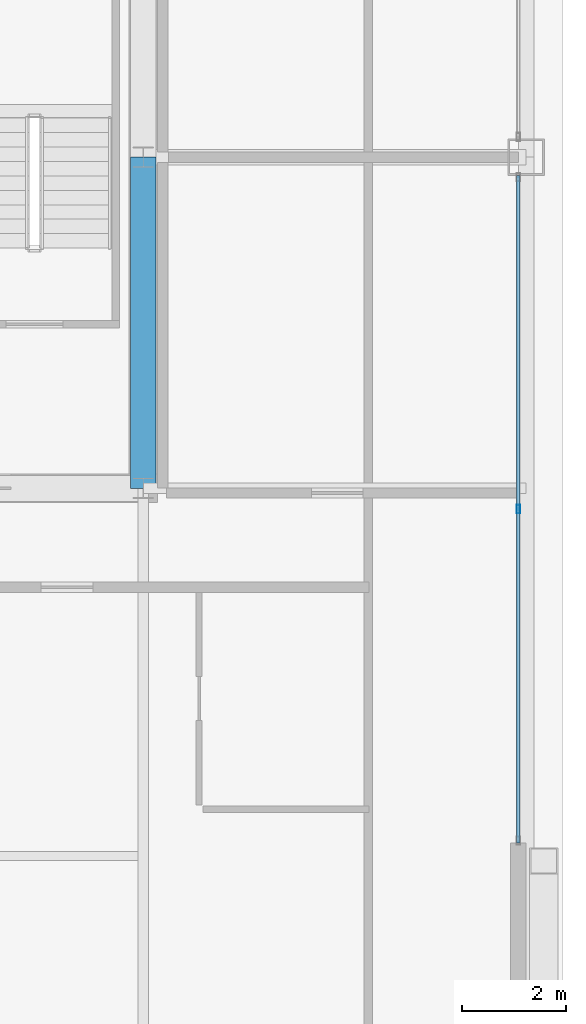
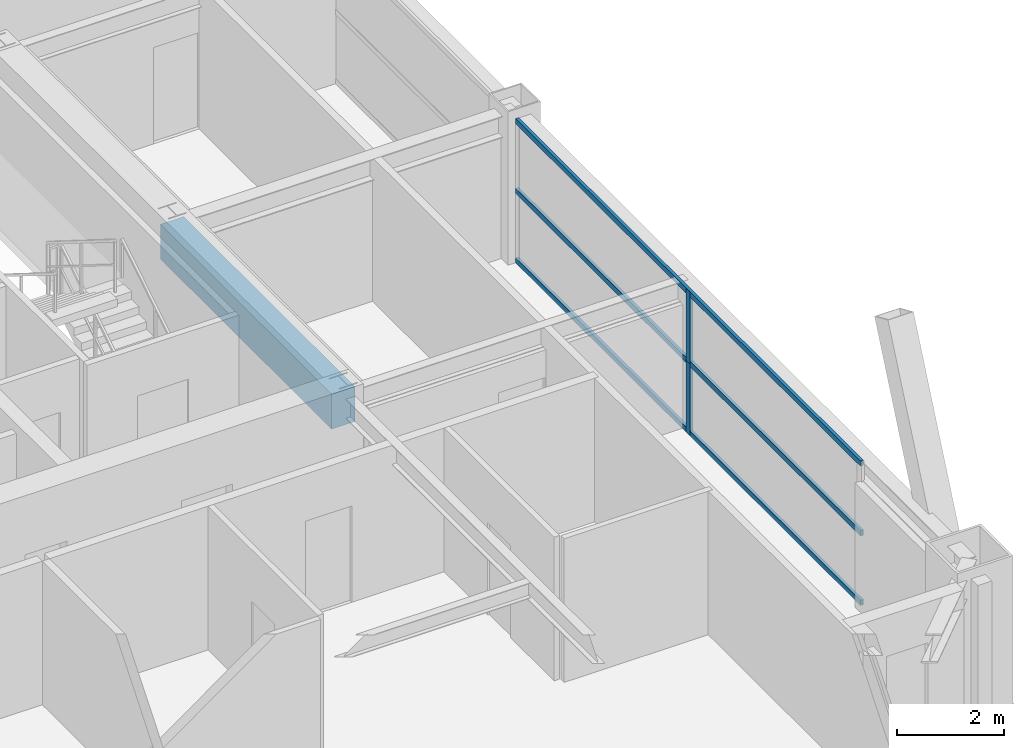
# One storey, part 17 of 34: 5 members, 1 beam, 1 element without a shape of its own.
"""IFC4 building model written with IfcOpenShell, lengths in metres."""

from ifc_helpers import new_model, si_unit, direction, frame, origin, origin_2d, place, context, subcontext, project, spatial, rectangle, hollow_rectangle, extrude, source, transform, mapped, material, layer, layer_set, material_profile, profile_set, type_object, element, aggregate, save


model = new_model("IFC4")

# Units and contexts
model_context = context("Model", 3, precision=1e-05, world=origin(), true_north=direction((0.0, 1.0)))
body_context = subcontext(model_context, "Body", "Model", "MODEL_VIEW")
ifc_project = project(units=[si_unit("LENGTHUNIT", "METRE"), si_unit("AREAUNIT", "SQUARE_METRE"), si_unit("VOLUMEUNIT", "CUBIC_METRE"), si_unit("PLANEANGLEUNIT", "RADIAN"), si_unit("MASSUNIT", "GRAM", prefix="KILO"), si_unit("THERMODYNAMICTEMPERATUREUNIT", "KELVIN"), si_unit("POWERUNIT", "WATT")], contexts=[model_context])

# Site, building, storey
site_placement = place(None, origin())
site = spatial("IfcSite", under=ifc_project, at=site_placement, CompositionType="ELEMENT")
building_placement = place(site_placement, origin())
building = spatial("IfcBuilding", under=site, at=building_placement, Name="Yuzanri Waterfront Tower", CompositionType="ELEMENT")
storey_placement = place(building_placement, frame((0.0, 0.0, 241.60009765625)))
storey = spatial("IfcBuildingStorey", under=building, at=storey_placement, Name="L64", CompositionType="ELEMENT", Elevation=241.60009765625)

# Beam
ifc_material_1 = material(Name="Concrete C50", Category="concrete")
ifc_material_profile_1 = material_profile(ifc_material_1, rectangle(XDim=0.5, YDim=0.800048828125, at=origin_2d()), Name="RC 500x800")
ifc_profile_set_1 = profile_set([ifc_material_profile_1], Name="Concrete C50")
beam_type = type_object("IfcBeamType", Name="Core Coupling Lintel Concrete C50 500x800", PredefinedType="LINTEL", material=ifc_profile_set_1)
shared_shape_1 = source(origin(), body_context, "Body", "SweptSolid", [
    extrude(rectangle(XDim=0.5, YDim=0.800048828125, at=origin_2d()), origin(), (0.0, 0.0, 1.0), 6.400146484375),
])
beam_placement = place(storey_placement, frame((50.199951171875, 19.39990234375, 2.8798828125), z_axis=(0.0, 1.0, 0.0), x_axis=(-1.0, 0.0, 0.0)))
element("IfcBeam", 1, at=beam_placement, inside=storey, type_object=beam_type, Name="L64 Core Tie Beam CE1", PredefinedType="LINTEL", context=body_context, shape_type="MappedRepresentation", body=[
    mapped(shared_shape_1, transform((0.0, 0.0, 0.0), scale=1.0)),
])

# Curtain wall, members
ifc_material_2 = material(Name="Anodized Architectural Bronze", Category="metal")
ifc_layer = layer(ifc_material_2, 0.159912109375)
ifc_layer_set = layer_set([ifc_layer], Name="Anodized Architectural Bronze")
curtain_wall_type = type_object("IfcCurtainWallType", Name="Anodized Bronze Mid-Rise Residential Acoustic Unitized Curtain Wall 7200", PredefinedType="NOTDEFINED", material=ifc_layer_set)
curtain_wall_placement = place(storey_placement, origin())
curtain_wall = element("IfcCurtainWall", 2, at=curtain_wall_placement, inside=storey, type_object=curtain_wall_type, Name="L64 Curtain Wall CW-L64-EL", PredefinedType="NOTDEFINED")
ifc_material_3 = material(Name="Anodized Architectural Bronze", Category="metal")
ifc_material_profile_2 = material_profile(ifc_material_3, hollow_rectangle(XDim=0.06494140625, YDim=0.159912109375, WallThickness=0.00341796875, at=origin_2d()), Name="CWM 65x160")
ifc_profile_set_2 = profile_set([ifc_material_profile_2], Name="Anodized Architectural Bronze")
member_type_1 = type_object("IfcMemberType", Name="Anodized Bronze Upper-Zone Curtain-Wall Mullion 65x160", PredefinedType="MULLION", material=ifc_profile_set_2)
shared_shape_2 = source(origin(), body_context, "Body", "SweptSolid", [
    extrude(hollow_rectangle(XDim=0.06494140625, YDim=0.159912109375, WallThickness=0.00341796875, at=origin_2d()), origin(), (0.0, 0.0, 1.0), 1.637939453125),
])
member_1_placement = place(storey_placement, frame((57.449951171875, 19.0, 0.0), z_axis=(0.0, 0.0, 1.0), x_axis=(1.0, 0.0, 0.0)))
member_1 = element("IfcMember", 3, at=member_1_placement, type_object=member_type_1, Name="CW-L64-EL Lower Mullion 01", PredefinedType="MULLION", context=body_context, shape_type="MappedRepresentation", body=[
    mapped(shared_shape_2, transform((0.0, 0.0, 0.0), scale=1.0)),
])
member_2_placement = place(storey_placement, frame((57.449951171875, 19.0, 1.641845703125), z_axis=(0.0, 0.0, 1.0), x_axis=(1.0, 0.0, 0.0)))
member_2 = element("IfcMember", 4, at=member_2_placement, type_object=member_type_1, Name="CW-L64-EL Upper Mullion 01", PredefinedType="MULLION", context=body_context, shape_type="MappedRepresentation", body=[
    mapped(shared_shape_2, transform((0.0, 0.0, 0.0), scale=1.0)),
])
ifc_material_4 = material(Name="Anodized Architectural Bronze", Category="metal")
ifc_material_profile_3 = material_profile(ifc_material_4, hollow_rectangle(XDim=0.06494140625, YDim=0.1201171875, WallThickness=0.00341796875, at=origin_2d()), Name="CWT 65x120")
ifc_profile_set_3 = profile_set([ifc_material_profile_3], Name="Anodized Architectural Bronze")
member_type_2 = type_object("IfcMemberType", Name="Anodized Bronze Secondary Curtain-Wall Transom 65x120", PredefinedType="USERDEFINED", material=ifc_profile_set_3)
shared_shape_3 = source(origin(), body_context, "Body", "SweptSolid", [
    extrude(hollow_rectangle(XDim=0.06494140625, YDim=0.1201171875, WallThickness=0.00341796875, at=origin_2d()), origin(), (0.0, 0.0, 1.0), 12.89990234375),
])
member_3_placement = place(storey_placement, frame((57.449951171875, 12.550048828125, 0.0498046875), z_axis=(0.0, 1.0, 0.0), x_axis=(-1.0, 0.0, 0.0)))
member_3 = element("IfcMember", 5, at=member_3_placement, type_object=member_type_2, Name="CW-L64-EL Transom 1", ObjectType="TRANSOM", PredefinedType="USERDEFINED", context=body_context, shape_type="MappedRepresentation", body=[
    mapped(shared_shape_3, transform((0.0, 0.0, 0.0), scale=1.0)),
])
member_4_placement = place(storey_placement, frame((57.449951171875, 12.550048828125, 1.639892578125), z_axis=(0.0, 1.0, 0.0), x_axis=(-1.0, 0.0, 0.0)))
member_4 = element("IfcMember", 6, at=member_4_placement, type_object=member_type_2, Name="CW-L64-EL Transom 2", ObjectType="TRANSOM", PredefinedType="USERDEFINED", context=body_context, shape_type="MappedRepresentation", body=[
    mapped(shared_shape_3, transform((0.0, 0.0, 0.0), scale=1.0)),
])
member_5_placement = place(storey_placement, frame((57.449951171875, 12.550048828125, 3.22998046875), z_axis=(0.0, 1.0, 0.0), x_axis=(-1.0, 0.0, 0.0)))
member_5 = element("IfcMember", 7, at=member_5_placement, type_object=member_type_2, Name="CW-L64-EL Transom 3", ObjectType="TRANSOM", PredefinedType="USERDEFINED", context=body_context, shape_type="MappedRepresentation", body=[
    mapped(shared_shape_3, transform((0.0, 0.0, 0.0), scale=1.0)),
])
aggregate(curtain_wall, [member_1, member_2, member_3, member_4, member_5])

save(model, "model.ifc")
